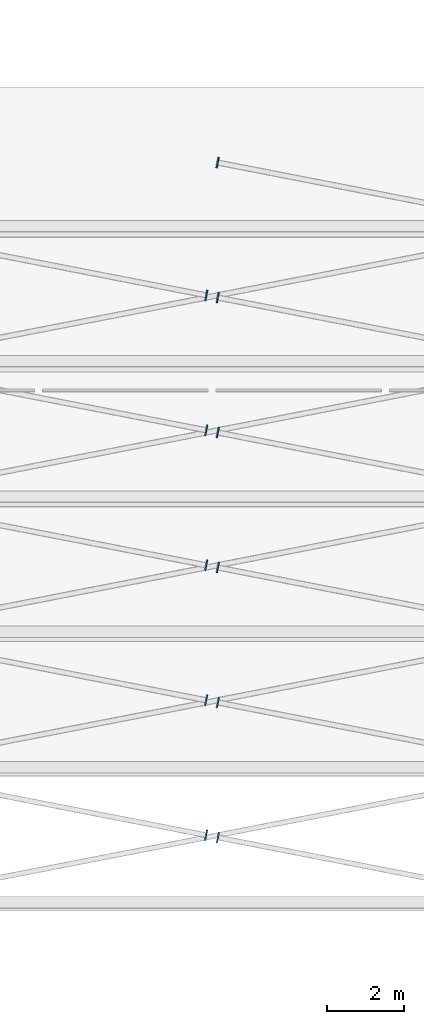
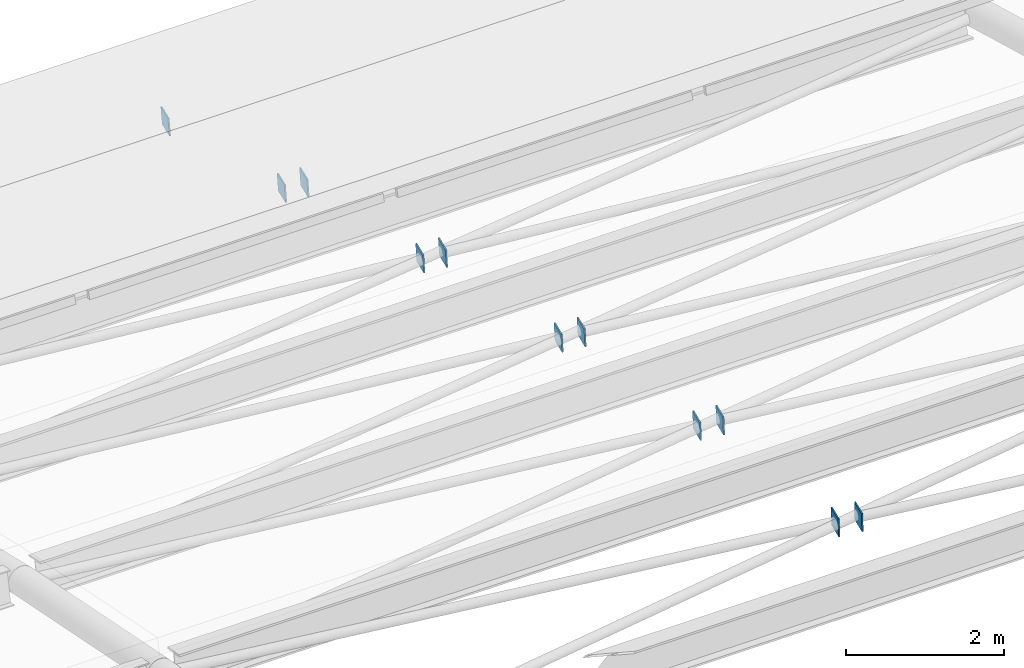
# One storey, part 63 of 69: 11 discrete accessories.
"""IFC4 building model written with IfcOpenShell, lengths in metres."""

from ifc_helpers import new_model, si_unit, direction, frame, origin, origin_2d, place, context, subcontext, project, spatial, rectangle, extrude, material, layer, layer_set, type_object, element, save


model = new_model("IFC4")

# Units and contexts
model_context = context("Model", 3, precision=1e-05, world=origin(), true_north=direction((0.0, 1.0)))
body_context = subcontext(model_context, "Body", "Model", "MODEL_VIEW")
ifc_project = project(units=[si_unit("LENGTHUNIT", "METRE"), si_unit("AREAUNIT", "SQUARE_METRE"), si_unit("VOLUMEUNIT", "CUBIC_METRE"), si_unit("PLANEANGLEUNIT", "RADIAN"), si_unit("MASSUNIT", "GRAM", prefix="KILO")], contexts=[model_context])

# Site, building, storey
site_placement = place(None, origin())
site = spatial("IfcSite", under=ifc_project, at=site_placement, CompositionType="ELEMENT")
building_placement = place(site_placement, origin())
building = spatial("IfcBuilding", under=site, at=building_placement, Name="Okhra Congress Centre", CompositionType="ELEMENT")
storey_placement = place(building_placement, frame((0.0, 0.0, 16.800048828125)))
storey = spatial("IfcBuildingStorey", under=building, at=storey_placement, Name="L03", CompositionType="ELEMENT", Elevation=16.800048828125)

# Discrete accessories
ifc_material = material(Name="Steel S355J2", Category="steel")
ifc_layer = layer(ifc_material, 0.02001953125)
ifc_layer_set = layer_set([ifc_layer], Name="Brace end connection plate 20 mm S355")
discrete_accessory_type = type_object("IfcDiscreteAccessoryType", Name="Brace end connection plate 20 mm S355", PredefinedType="BRACKET", material=ifc_layer_set)
for number, where, z_axis, x_axis, name in (
    (1, (145.1630859375, 189.71826171875, 4.721923828125), (-0.980756046085, 0.19372958935, -0.024216198669), (-0.193786418213, -0.981043742203, 0.0), "Brace end connection plate"),
    (2, (144.8369140625, 189.78173828125, 4.711669921875), (0.980396781614, -0.193658623529, 0.036310991912), (0.193786418213, 0.981043742203, 0.0), "Brace end connection plate"),
):
    element("IfcDiscreteAccessory", number, at=place(storey_placement, frame(where, z_axis=z_axis, x_axis=x_axis)), inside=storey, type_object=discrete_accessory_type, Name=name, PredefinedType="BRACKET", context=body_context, shape_type="SweptSolid", body=[
        extrude(rectangle(XDim=0.279052734375, YDim=0.279052734375, at=origin_2d()), origin(), (0.0, 0.0, 1.0), 0.020263671875),
    ])
for number, where, z_axis, x_axis, name in (
    (3, (145.161865234375, 193.218505859375, 4.091064453125), (-0.979918394569, 0.195983678914, -0.036746939796), (-0.196116135138, -0.980580675691, 0.0), "Brace end connection plate"),
    (4, (144.838134765625, 193.281494140625, 4.078369140625), (0.979918394569, -0.195983678914, 0.036746939796), (0.196116135138, 0.980580675691, 0.0), "Brace end connection plate"),
):
    element("IfcDiscreteAccessory", number, at=place(storey_placement, frame(where, z_axis=z_axis, x_axis=x_axis)), inside=storey, type_object=discrete_accessory_type, Name=name, PredefinedType="BRACKET", context=body_context, shape_type="SweptSolid", body=[
        extrude(rectangle(XDim=0.279052734375, YDim=0.279052734375, at=origin_2d()), origin(), (0.0, 0.0, 1.0), 0.02001953125),
    ])
for number, where, z_axis, x_axis, name in (
    (5, (145.16064453125, 196.71875, 3.328125), (-0.979894473989, 0.19355940227, -0.048389850567), (-0.193786418213, -0.981043742203, 0.0), "Brace end connection plate"),
    (6, (144.83935546875, 196.78125, 3.313232421875), (0.979894473989, -0.19355940227, 0.048389850567), (0.193786418213, 0.981043742203, 0.0), "Brace end connection plate"),
):
    element("IfcDiscreteAccessory", number, at=place(storey_placement, frame(where, z_axis=z_axis, x_axis=x_axis)), inside=storey, type_object=discrete_accessory_type, Name=name, PredefinedType="BRACKET", context=body_context, shape_type="SweptSolid", body=[
        extrude(rectangle(XDim=0.279052734375, YDim=0.279052734375, at=origin_2d()), origin(), (0.0, 0.0, 1.0), 0.020263671875),
    ])
for number, where, z_axis, x_axis, name in (
    (7, (145.158935546875, 200.218994140625, 2.43017578125), (-0.978744311902, 0.19574886238, -0.061171519494), (-0.196116135138, -0.980580675691, 0.0), "Brace end connection plate"),
    (8, (144.841064453125, 200.281005859375, 2.4130859375), (0.979404213749, -0.19588084275, 0.048970210687), (0.196116135138, 0.980580675691, 0.0), "Brace end connection plate"),
):
    element("IfcDiscreteAccessory", number, at=place(storey_placement, frame(where, z_axis=z_axis, x_axis=x_axis)), inside=storey, type_object=discrete_accessory_type, Name=name, PredefinedType="BRACKET", context=body_context, shape_type="SweptSolid", body=[
        extrude(rectangle(XDim=0.279052734375, YDim=0.279052734375, at=origin_2d()), origin(), (0.0, 0.0, 1.0), 0.02001953125),
    ])
for number, where, z_axis, x_axis, name in (
    (9, (145.1572265625, 203.719482421875, 1.39306640625), (-0.981475761487, 0.181754770646, -0.060584923549), (-0.182089260182, -0.983282004984, 0.0), "Brace end connection plate"),
    (10, (144.8427734375, 203.780517578125, 1.373779296875), (0.981475761487, -0.181754770646, 0.060584923549), (0.182089260182, 0.983282004984, 0.0), "Brace end connection plate"),
):
    element("IfcDiscreteAccessory", number, at=place(storey_placement, frame(where, z_axis=z_axis, x_axis=x_axis)), inside=storey, type_object=discrete_accessory_type, Name=name, PredefinedType="BRACKET", context=body_context, shape_type="SweptSolid", body=[
        extrude(rectangle(XDim=0.279052734375, YDim=0.279052734375, at=origin_2d()), origin(), (0.0, 0.0, 1.0), 0.020263671875),
    ])
discrete_accessory_placement = place(storey_placement, frame((145.155029296875, 207.219970703125, 0.21240234375), z_axis=(-0.980212576021, 0.183789858004, -0.073515943202), x_axis=(-0.18428853505, -0.982872186934, 0.0)))
element("IfcDiscreteAccessory", 11, at=discrete_accessory_placement, inside=storey, type_object=discrete_accessory_type, Name="Brace end connection plate", PredefinedType="BRACKET", context=body_context, shape_type="SweptSolid", body=[
    extrude(rectangle(XDim=0.279052734375, YDim=0.279052734375, at=origin_2d()), origin(), (0.0, 0.0, 1.0), 0.02001953125),
])

save(model, "model.ifc")
